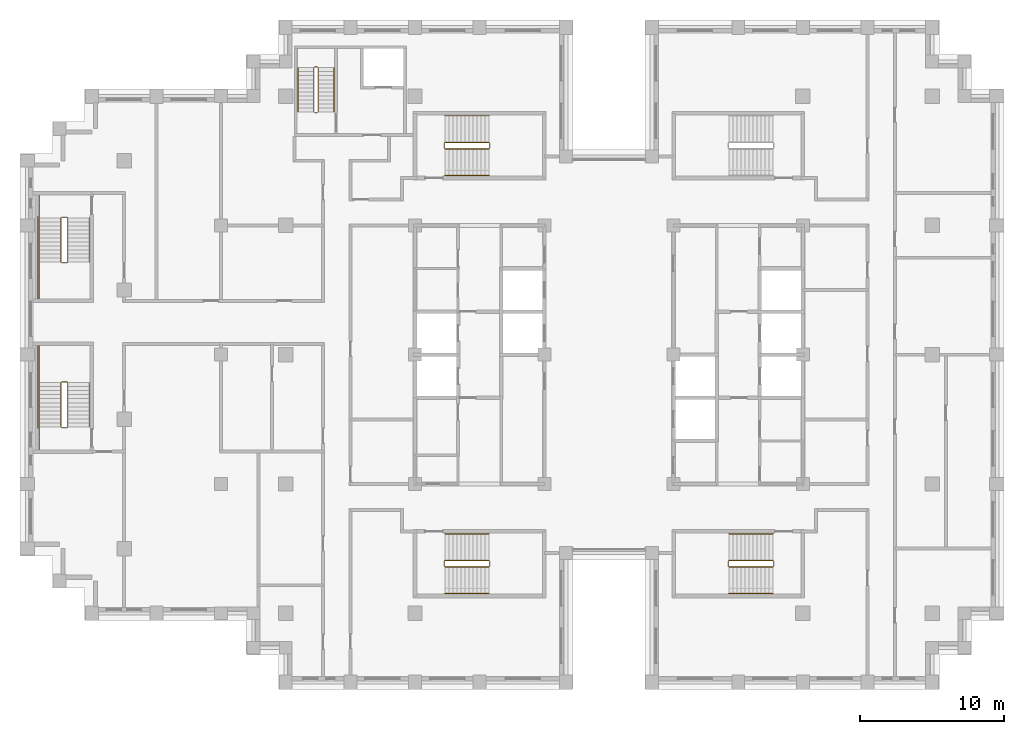
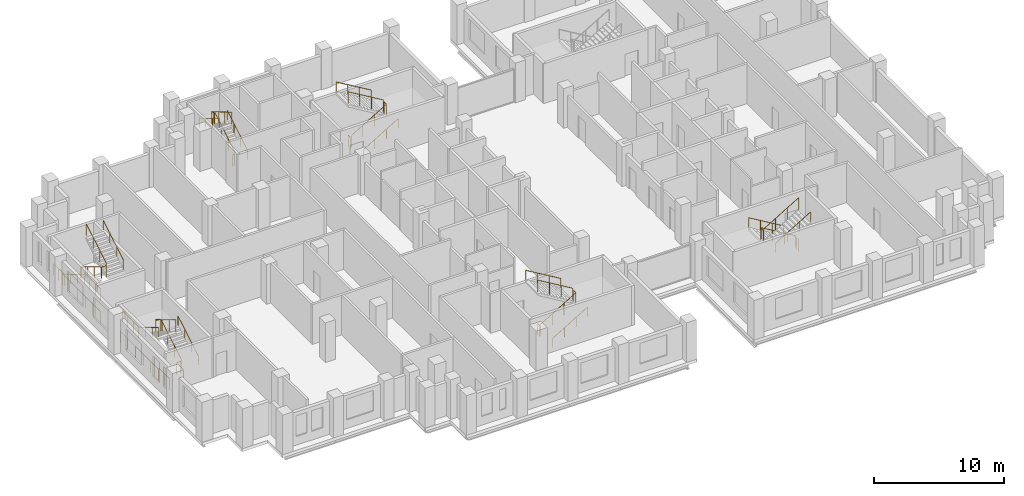
# One storey, part 14 of 15: 6 railings.
"""IFC4 building model written with IfcOpenShell, lengths in metres."""

from ifc_helpers import new_model, si_unit, direction, frame, origin, origin_2d, place, context, subcontext, project, spatial, circle, extrude, material, type_object, element, save


model = new_model("IFC4")

# Units and contexts
model_context = context("Model", 3, precision=1e-05, world=origin(), true_north=direction((0.0, 1.0)))
body_context = subcontext(model_context, "Body", "Model", "MODEL_VIEW")
ifc_project = project(units=[si_unit("LENGTHUNIT", "METRE"), si_unit("AREAUNIT", "SQUARE_METRE"), si_unit("VOLUMEUNIT", "CUBIC_METRE"), si_unit("PLANEANGLEUNIT", "RADIAN"), si_unit("MASSUNIT", "GRAM", prefix="KILO")], contexts=[model_context])

# Site, building, storey
site_placement = place(None, origin())
site = spatial("IfcSite", under=ifc_project, at=site_placement, CompositionType="ELEMENT")
building_placement = place(site_placement, origin())
building = spatial("IfcBuilding", under=site, at=building_placement, Name="Corbelhall Arena Tower", CompositionType="ELEMENT")
storey_placement = place(building_placement, frame((0.0, 0.0, 192.0)))
storey = spatial("IfcBuildingStorey", under=building, at=storey_placement, Name="L39", CompositionType="ELEMENT", Elevation=192.0)

# Railings
ifc_material = material(Name="Steel ASTM A500 Gr C", Category="steel")
railing_type = type_object("IfcRailingType", Name="IN-GD-1100", PredefinedType="GUARDRAIL", material=ifc_material)
railing_1_placement = place(storey_placement, frame((-11.425048828125, 14.324951171875, 0.166748046875)))
element("IfcRailing", 1, at=railing_1_placement, inside=storey, type_object=railing_type, Name="L39 ST1 stair guards and handrails", PredefinedType="GUARDRAIL", context=body_context, shape_type="SweptSolid", body=[
    extrude(circle(Radius=0.02392578125, at=origin_2d()), frame((0.0, 0.0, 1.076171875), z_axis=(0.859308565015, 0.0, 0.511457515432), x_axis=(0.0, 1.0, 0.0)), (0.0, 0.0, 1.0), 3.58447265625),
    extrude(circle(Radius=0.02392578125, at=origin_2d()), frame((3.130126953125, 0.050048828125, 2.9091796875), z_axis=(0.0, 1.0, 0.0), x_axis=(-1.0, 0.0, 0.0)), (0.0, 0.0, 1.0), 0.35009765625),
    extrude(circle(Radius=0.02392578125, at=origin_2d()), frame((3.080078125, 0.449951171875, 3.076171875), z_axis=(-0.859308565015, 0.0, 0.511457515432), x_axis=(0.0, -1.0, 0.0)), (0.0, 0.0, 1.0), 3.58447265625),
    extrude(circle(Radius=0.02392578125, at=origin_2d()), frame((-0.050048828125, 0.050048828125, 0.9091796875), z_axis=(0.0, 1.0, 0.0), x_axis=(-1.0, 0.0, 0.0)), (0.0, 0.0, 1.0), 0.35009765625),
    extrude(circle(Radius=0.02392578125, at=origin_2d()), frame((0.0, -1.849853515625, 0.8759765625), z_axis=(0.859308565015, 0.0, 0.511457515432), x_axis=(0.0, 1.0, 0.0)), (0.0, 0.0, 1.0), 3.58447265625),
    extrude(circle(Radius=0.02392578125, at=origin_2d()), frame((3.080078125, 2.300048828125, 2.8759765625), z_axis=(-0.859308565015, 0.0, 0.511457515432), x_axis=(0.0, -1.0, 0.0)), (0.0, 0.0, 1.0), 3.58447265625),
    extrude(circle(Radius=0.02099609375, at=origin_2d()), origin(), (0.0, 0.0, 1.0), 1.052001953125),
    extrude(circle(Radius=0.02099609375, at=origin_2d()), frame((1.026611328125, 0.0, 0.611083984375)), (0.0, 0.0, 1.0), 1.052001953125),
    extrude(circle(Radius=0.02099609375, at=origin_2d()), frame((2.053466796875, 0.0, 1.22216796875)), (0.0, 0.0, 1.0), 1.052001953125),
    extrude(circle(Radius=0.02099609375, at=origin_2d()), frame((3.080078125, 0.0, 1.833251953125)), (0.0, 0.0, 1.0), 1.052001953125),
    extrude(circle(Radius=0.02099609375, at=origin_2d()), frame((3.130126953125, 0.050048828125, 1.833251953125)), (0.0, 0.0, 1.0), 1.052001953125),
    extrude(circle(Radius=0.02099609375, at=origin_2d()), frame((3.130126953125, 0.400146484375, 1.833251953125)), (0.0, 0.0, 1.0), 1.052001953125),
    extrude(circle(Radius=0.02099609375, at=origin_2d()), frame((3.080078125, 0.449951171875, 2.0)), (0.0, 0.0, 1.0), 1.052001953125),
    extrude(circle(Radius=0.02099609375, at=origin_2d()), frame((2.053466796875, 0.449951171875, 2.611083984375)), (0.0, 0.0, 1.0), 1.052001953125),
    extrude(circle(Radius=0.02099609375, at=origin_2d()), frame((1.026611328125, 0.449951171875, 3.22216796875)), (0.0, 0.0, 1.0), 1.052001953125),
    extrude(circle(Radius=0.02099609375, at=origin_2d()), frame((0.0, 0.449951171875, 3.833251953125)), (0.0, 0.0, 1.0), 1.052001953125),
    extrude(circle(Radius=0.02099609375, at=origin_2d()), frame((-0.050048828125, 0.050048828125, -0.166748046875)), (0.0, 0.0, 1.0), 1.052001953125),
    extrude(circle(Radius=0.02099609375, at=origin_2d()), frame((-0.050048828125, 0.400146484375, -0.166748046875)), (0.0, 0.0, 1.0), 1.052001953125),
    extrude(circle(Radius=0.02099609375, at=origin_2d()), frame((0.0, -1.849853515625, 0.0)), (0.0, 0.0, 1.0), 0.851806640625),
    extrude(circle(Radius=0.02099609375, at=origin_2d()), frame((1.026611328125, -1.849853515625, 0.611083984375)), (0.0, 0.0, 1.0), 0.851806640625),
    extrude(circle(Radius=0.02099609375, at=origin_2d()), frame((2.053466796875, -1.849853515625, 1.22216796875)), (0.0, 0.0, 1.0), 0.851806640625),
    extrude(circle(Radius=0.02099609375, at=origin_2d()), frame((3.080078125, -1.849853515625, 1.833251953125)), (0.0, 0.0, 1.0), 0.851806640625),
    extrude(circle(Radius=0.02099609375, at=origin_2d()), frame((3.080078125, 2.300048828125, 2.0)), (0.0, 0.0, 1.0), 0.851806640625),
    extrude(circle(Radius=0.02099609375, at=origin_2d()), frame((2.053466796875, 2.300048828125, 2.611083984375)), (0.0, 0.0, 1.0), 0.851806640625),
    extrude(circle(Radius=0.02099609375, at=origin_2d()), frame((1.026611328125, 2.300048828125, 3.22216796875)), (0.0, 0.0, 1.0), 0.851806640625),
    extrude(circle(Radius=0.02099609375, at=origin_2d()), frame((0.0, 2.300048828125, 3.833251953125)), (0.0, 0.0, 1.0), 0.851806640625),
])
railing_2_placement = place(storey_placement, frame((-11.425048828125, -14.77490234375, 0.166748046875)))
element("IfcRailing", 2, at=railing_2_placement, inside=storey, type_object=railing_type, Name="L39 ST2 stair guards and handrails", PredefinedType="GUARDRAIL", context=body_context, shape_type="SweptSolid", body=[
    extrude(circle(Radius=0.02392578125, at=origin_2d()), frame((0.0, 0.0, 1.076171875), z_axis=(0.859308565015, 0.0, 0.511457515432), x_axis=(0.0, 1.0, 0.0)), (0.0, 0.0, 1.0), 3.58447265625),
    extrude(circle(Radius=0.02392578125, at=origin_2d()), frame((3.130126953125, 0.0498046875, 2.9091796875), z_axis=(0.0, 1.0, 0.0), x_axis=(-1.0, 0.0, 0.0)), (0.0, 0.0, 1.0), 0.35009765625),
    extrude(circle(Radius=0.02392578125, at=origin_2d()), frame((3.080078125, 0.449951171875, 3.076171875), z_axis=(-0.859308565015, 0.0, 0.511457515432), x_axis=(0.0, -1.0, 0.0)), (0.0, 0.0, 1.0), 3.58447265625),
    extrude(circle(Radius=0.02392578125, at=origin_2d()), frame((-0.050048828125, 0.0498046875, 0.9091796875), z_axis=(0.0, 1.0, 0.0), x_axis=(-1.0, 0.0, 0.0)), (0.0, 0.0, 1.0), 0.35009765625),
    extrude(circle(Radius=0.02392578125, at=origin_2d()), frame((0.0, -1.85009765625, 0.8759765625), z_axis=(0.859308565015, 0.0, 0.511457515432), x_axis=(0.0, 1.0, 0.0)), (0.0, 0.0, 1.0), 3.58447265625),
    extrude(circle(Radius=0.02392578125, at=origin_2d()), frame((3.080078125, 2.2998046875, 2.8759765625), z_axis=(-0.859308565015, 0.0, 0.511457515432), x_axis=(0.0, -1.0, 0.0)), (0.0, 0.0, 1.0), 3.58447265625),
    extrude(circle(Radius=0.02099609375, at=origin_2d()), origin(), (0.0, 0.0, 1.0), 1.052001953125),
    extrude(circle(Radius=0.02099609375, at=origin_2d()), frame((1.026611328125, 0.0, 0.611083984375)), (0.0, 0.0, 1.0), 1.052001953125),
    extrude(circle(Radius=0.02099609375, at=origin_2d()), frame((2.053466796875, 0.0, 1.22216796875)), (0.0, 0.0, 1.0), 1.052001953125),
    extrude(circle(Radius=0.02099609375, at=origin_2d()), frame((3.080078125, 0.0, 1.833251953125)), (0.0, 0.0, 1.0), 1.052001953125),
    extrude(circle(Radius=0.02099609375, at=origin_2d()), frame((3.130126953125, 0.0498046875, 1.833251953125)), (0.0, 0.0, 1.0), 1.052001953125),
    extrude(circle(Radius=0.02099609375, at=origin_2d()), frame((3.130126953125, 0.39990234375, 1.833251953125)), (0.0, 0.0, 1.0), 1.052001953125),
    extrude(circle(Radius=0.02099609375, at=origin_2d()), frame((3.080078125, 0.449951171875, 2.0)), (0.0, 0.0, 1.0), 1.052001953125),
    extrude(circle(Radius=0.02099609375, at=origin_2d()), frame((2.053466796875, 0.449951171875, 2.611083984375)), (0.0, 0.0, 1.0), 1.052001953125),
    extrude(circle(Radius=0.02099609375, at=origin_2d()), frame((1.026611328125, 0.449951171875, 3.22216796875)), (0.0, 0.0, 1.0), 1.052001953125),
    extrude(circle(Radius=0.02099609375, at=origin_2d()), frame((0.0, 0.449951171875, 3.833251953125)), (0.0, 0.0, 1.0), 1.052001953125),
    extrude(circle(Radius=0.02099609375, at=origin_2d()), frame((-0.050048828125, 0.0498046875, -0.166748046875)), (0.0, 0.0, 1.0), 1.052001953125),
    extrude(circle(Radius=0.02099609375, at=origin_2d()), frame((-0.050048828125, 0.39990234375, -0.166748046875)), (0.0, 0.0, 1.0), 1.052001953125),
    extrude(circle(Radius=0.02099609375, at=origin_2d()), frame((0.0, -1.85009765625, 0.0)), (0.0, 0.0, 1.0), 0.851806640625),
    extrude(circle(Radius=0.02099609375, at=origin_2d()), frame((1.026611328125, -1.85009765625, 0.611083984375)), (0.0, 0.0, 1.0), 0.851806640625),
    extrude(circle(Radius=0.02099609375, at=origin_2d()), frame((2.053466796875, -1.85009765625, 1.22216796875)), (0.0, 0.0, 1.0), 0.851806640625),
    extrude(circle(Radius=0.02099609375, at=origin_2d()), frame((3.080078125, -1.85009765625, 1.833251953125)), (0.0, 0.0, 1.0), 0.851806640625),
    extrude(circle(Radius=0.02099609375, at=origin_2d()), frame((3.080078125, 2.2998046875, 2.0)), (0.0, 0.0, 1.0), 0.851806640625),
    extrude(circle(Radius=0.02099609375, at=origin_2d()), frame((2.053466796875, 2.2998046875, 2.611083984375)), (0.0, 0.0, 1.0), 0.851806640625),
    extrude(circle(Radius=0.02099609375, at=origin_2d()), frame((1.026611328125, 2.2998046875, 3.22216796875)), (0.0, 0.0, 1.0), 0.851806640625),
    extrude(circle(Radius=0.02099609375, at=origin_2d()), frame((0.0, 2.2998046875, 3.833251953125)), (0.0, 0.0, 1.0), 0.851806640625),
])
railing_3_placement = place(storey_placement, frame((11.425048828125, -14.324951171875, 0.166748046875)))
element("IfcRailing", 3, at=railing_3_placement, inside=storey, type_object=railing_type, Name="L39 ST4 stair guards and handrails", PredefinedType="GUARDRAIL", context=body_context, shape_type="SweptSolid", body=[
    extrude(circle(Radius=0.02392578125, at=origin_2d()), frame((0.0, 0.0, 1.076171875), z_axis=(-0.859308565015, 0.0, 0.511457515432), x_axis=(0.0, -1.0, 0.0)), (0.0, 0.0, 1.0), 3.58447265625),
    extrude(circle(Radius=0.02392578125, at=origin_2d()), frame((-3.130126953125, -0.050048828125, 2.9091796875), z_axis=(0.0, -1.0, 0.0), x_axis=(1.0, 0.0, 0.0)), (0.0, 0.0, 1.0), 0.35009765625),
    extrude(circle(Radius=0.02392578125, at=origin_2d()), frame((-3.080078125, -0.449951171875, 3.076171875), z_axis=(0.859308565015, 0.0, 0.511457515432), x_axis=(0.0, 1.0, 0.0)), (0.0, 0.0, 1.0), 3.58447265625),
    extrude(circle(Radius=0.02392578125, at=origin_2d()), frame((0.050048828125, -0.050048828125, 0.9091796875), z_axis=(0.0, -1.0, 0.0), x_axis=(1.0, 0.0, 0.0)), (0.0, 0.0, 1.0), 0.35009765625),
    extrude(circle(Radius=0.02392578125, at=origin_2d()), frame((0.0, 1.849853515625, 0.8759765625), z_axis=(-0.859308565015, 0.0, 0.511457515432), x_axis=(0.0, -1.0, 0.0)), (0.0, 0.0, 1.0), 3.58447265625),
    extrude(circle(Radius=0.02392578125, at=origin_2d()), frame((-3.080078125, -2.300048828125, 2.8759765625), z_axis=(0.859308565015, 0.0, 0.511457515432), x_axis=(0.0, 1.0, 0.0)), (0.0, 0.0, 1.0), 3.58447265625),
    extrude(circle(Radius=0.02099609375, at=origin_2d()), origin(), (0.0, 0.0, 1.0), 1.052001953125),
    extrude(circle(Radius=0.02099609375, at=origin_2d()), frame((-1.026611328125, 0.0, 0.611083984375)), (0.0, 0.0, 1.0), 1.052001953125),
    extrude(circle(Radius=0.02099609375, at=origin_2d()), frame((-2.053466796875, 0.0, 1.22216796875)), (0.0, 0.0, 1.0), 1.052001953125),
    extrude(circle(Radius=0.02099609375, at=origin_2d()), frame((-3.080078125, 0.0, 1.833251953125)), (0.0, 0.0, 1.0), 1.052001953125),
    extrude(circle(Radius=0.02099609375, at=origin_2d()), frame((-3.130126953125, -0.050048828125, 1.833251953125)), (0.0, 0.0, 1.0), 1.052001953125),
    extrude(circle(Radius=0.02099609375, at=origin_2d()), frame((-3.130126953125, -0.400146484375, 1.833251953125)), (0.0, 0.0, 1.0), 1.052001953125),
    extrude(circle(Radius=0.02099609375, at=origin_2d()), frame((-3.080078125, -0.449951171875, 2.0)), (0.0, 0.0, 1.0), 1.052001953125),
    extrude(circle(Radius=0.02099609375, at=origin_2d()), frame((-2.053466796875, -0.449951171875, 2.611083984375)), (0.0, 0.0, 1.0), 1.052001953125),
    extrude(circle(Radius=0.02099609375, at=origin_2d()), frame((-1.026611328125, -0.449951171875, 3.22216796875)), (0.0, 0.0, 1.0), 1.052001953125),
    extrude(circle(Radius=0.02099609375, at=origin_2d()), frame((0.0, -0.449951171875, 3.833251953125)), (0.0, 0.0, 1.0), 1.052001953125),
    extrude(circle(Radius=0.02099609375, at=origin_2d()), frame((0.050048828125, -0.050048828125, -0.166748046875)), (0.0, 0.0, 1.0), 1.052001953125),
    extrude(circle(Radius=0.02099609375, at=origin_2d()), frame((0.050048828125, -0.400146484375, -0.166748046875)), (0.0, 0.0, 1.0), 1.052001953125),
    extrude(circle(Radius=0.02099609375, at=origin_2d()), frame((0.0, 1.849853515625, 0.0)), (0.0, 0.0, 1.0), 0.851806640625),
    extrude(circle(Radius=0.02099609375, at=origin_2d()), frame((-1.026611328125, 1.849853515625, 0.611083984375)), (0.0, 0.0, 1.0), 0.851806640625),
    extrude(circle(Radius=0.02099609375, at=origin_2d()), frame((-2.053466796875, 1.849853515625, 1.22216796875)), (0.0, 0.0, 1.0), 0.851806640625),
    extrude(circle(Radius=0.02099609375, at=origin_2d()), frame((-3.080078125, 1.849853515625, 1.833251953125)), (0.0, 0.0, 1.0), 0.851806640625),
    extrude(circle(Radius=0.02099609375, at=origin_2d()), frame((-3.080078125, -2.300048828125, 2.0)), (0.0, 0.0, 1.0), 0.851806640625),
    extrude(circle(Radius=0.02099609375, at=origin_2d()), frame((-2.053466796875, -2.300048828125, 2.611083984375)), (0.0, 0.0, 1.0), 0.851806640625),
    extrude(circle(Radius=0.02099609375, at=origin_2d()), frame((-1.026611328125, -2.300048828125, 3.22216796875)), (0.0, 0.0, 1.0), 0.851806640625),
    extrude(circle(Radius=0.02099609375, at=origin_2d()), frame((0.0, -2.300048828125, 3.833251953125)), (0.0, 0.0, 1.0), 0.851806640625),
])
railing_4_placement = place(storey_placement, frame((-38.14990234375, 9.52490234375, 0.166748046875)))
element("IfcRailing", 4, at=railing_4_placement, inside=storey, type_object=railing_type, Name="L39 SC1 stair guards and handrails", PredefinedType="GUARDRAIL", context=body_context, shape_type="SweptSolid", body=[
    extrude(circle(Radius=0.02392578125, at=origin_2d()), frame((0.0, 0.0, 1.076171875), z_axis=(0.0, -0.859290745958, 0.51148745235), x_axis=(1.0, 0.0, 0.0)), (0.0, 0.0, 1.0), 3.584228515625),
    extrude(circle(Radius=0.02392578125, at=origin_2d()), frame((0.0498046875, -3.1298828125, 2.9091796875), z_axis=(1.0, 0.0, 0.0), x_axis=(0.0, 1.0, 0.0)), (0.0, 0.0, 1.0), 0.375),
    extrude(circle(Radius=0.02392578125, at=origin_2d()), frame((-1.5, -3.079833984375, 2.9091796875), z_axis=(0.0, -1.0, 0.0), x_axis=(1.0, 0.0, 0.0)), (0.0, 0.0, 1.0), 2.570068359375),
    extrude(circle(Radius=0.02392578125, at=origin_2d()), frame((0.474853515625, -3.079833984375, 3.076171875), z_axis=(0.0, 0.859290745958, 0.51148745235), x_axis=(-1.0, 0.0, 0.0)), (0.0, 0.0, 1.0), 3.584228515625),
    extrude(circle(Radius=0.02392578125, at=origin_2d()), frame((0.0498046875, 0.050048828125, 0.9091796875), z_axis=(1.0, 0.0, 0.0), x_axis=(0.0, 1.0, 0.0)), (0.0, 0.0, 1.0), 0.375),
    extrude(circle(Radius=0.02392578125, at=origin_2d()), frame((-1.5, 1.60009765625, 0.9091796875), z_axis=(0.0, -1.0, 0.0), x_axis=(1.0, 0.0, 0.0)), (0.0, 0.0, 1.0), 1.60009765625),
    extrude(circle(Radius=0.02392578125, at=origin_2d()), frame((-1.60009765625, 0.10009765625, 0.9091796875), z_axis=(0.0, -1.0, 0.0), x_axis=(1.0, 0.0, 0.0)), (0.0, 0.0, 1.0), 5.85009765625),
    extrude(circle(Radius=0.02392578125, at=origin_2d()), frame((-1.5, 0.0, 0.8759765625), z_axis=(0.0, -0.859290745958, 0.51148745235), x_axis=(1.0, 0.0, 0.0)), (0.0, 0.0, 1.0), 3.584228515625),
    extrude(circle(Radius=0.02392578125, at=origin_2d()), frame((1.974853515625, -3.079833984375, 2.8759765625), z_axis=(0.0, 0.859290745958, 0.51148745235), x_axis=(-1.0, 0.0, 0.0)), (0.0, 0.0, 1.0), 3.584228515625),
    extrude(circle(Radius=0.02099609375, at=origin_2d()), origin(), (0.0, 0.0, 1.0), 1.052001953125),
    extrude(circle(Radius=0.02099609375, at=origin_2d()), frame((0.0, -1.026611328125, 0.611083984375)), (0.0, 0.0, 1.0), 1.052001953125),
    extrude(circle(Radius=0.02099609375, at=origin_2d()), frame((0.0, -2.05322265625, 1.22216796875)), (0.0, 0.0, 1.0), 1.052001953125),
    extrude(circle(Radius=0.02099609375, at=origin_2d()), frame((0.0, -3.079833984375, 1.833251953125)), (0.0, 0.0, 1.0), 1.052001953125),
    extrude(circle(Radius=0.02099609375, at=origin_2d()), frame((0.0498046875, -3.1298828125, 1.833251953125)), (0.0, 0.0, 1.0), 1.052001953125),
    extrude(circle(Radius=0.02099609375, at=origin_2d()), frame((0.4248046875, -3.1298828125, 1.833251953125)), (0.0, 0.0, 1.0), 1.052001953125),
    extrude(circle(Radius=0.02099609375, at=origin_2d()), frame((-1.5, -3.079833984375, 1.833251953125)), (0.0, 0.0, 1.0), 1.052001953125),
    extrude(circle(Radius=0.02099609375, at=origin_2d()), frame((-1.5, -3.9365234375, 1.833251953125)), (0.0, 0.0, 1.0), 1.052001953125),
    extrude(circle(Radius=0.02099609375, at=origin_2d()), frame((-1.5, -4.793212890625, 1.833251953125)), (0.0, 0.0, 1.0), 1.052001953125),
    extrude(circle(Radius=0.02099609375, at=origin_2d()), frame((-1.5, -5.64990234375, 1.833251953125)), (0.0, 0.0, 1.0), 1.052001953125),
    extrude(circle(Radius=0.02099609375, at=origin_2d()), frame((0.474853515625, -3.079833984375, 2.0)), (0.0, 0.0, 1.0), 1.052001953125),
    extrude(circle(Radius=0.02099609375, at=origin_2d()), frame((0.474853515625, -2.05322265625, 2.611083984375)), (0.0, 0.0, 1.0), 1.052001953125),
    extrude(circle(Radius=0.02099609375, at=origin_2d()), frame((0.474853515625, -1.026611328125, 3.22216796875)), (0.0, 0.0, 1.0), 1.052001953125),
    extrude(circle(Radius=0.02099609375, at=origin_2d()), frame((0.474853515625, 0.0, 3.833251953125)), (0.0, 0.0, 1.0), 1.052001953125),
    extrude(circle(Radius=0.02099609375, at=origin_2d()), frame((0.0498046875, 0.050048828125, -0.166748046875)), (0.0, 0.0, 1.0), 1.052001953125),
    extrude(circle(Radius=0.02099609375, at=origin_2d()), frame((0.4248046875, 0.050048828125, -0.166748046875)), (0.0, 0.0, 1.0), 1.052001953125),
    extrude(circle(Radius=0.02099609375, at=origin_2d()), frame((-1.5, 1.60009765625, -0.166748046875)), (0.0, 0.0, 1.0), 1.052001953125),
    extrude(circle(Radius=0.02099609375, at=origin_2d()), frame((-1.5, 0.800048828125, -0.166748046875)), (0.0, 0.0, 1.0), 1.052001953125),
    extrude(circle(Radius=0.02099609375, at=origin_2d()), frame((-1.5, 0.0, -0.166748046875)), (0.0, 0.0, 1.0), 1.052001953125),
    extrude(circle(Radius=0.02099609375, at=origin_2d()), frame((-1.60009765625, 0.10009765625, -0.166748046875)), (0.0, 0.0, 1.0), 1.052001953125),
    extrude(circle(Radius=0.02099609375, at=origin_2d()), frame((-1.60009765625, -1.06982421875, -0.166748046875)), (0.0, 0.0, 1.0), 1.052001953125),
    extrude(circle(Radius=0.02099609375, at=origin_2d()), frame((-1.60009765625, -2.239990234375, -0.166748046875)), (0.0, 0.0, 1.0), 1.052001953125),
    extrude(circle(Radius=0.02099609375, at=origin_2d()), frame((-1.60009765625, -3.409912109375, -0.166748046875)), (0.0, 0.0, 1.0), 1.052001953125),
    extrude(circle(Radius=0.02099609375, at=origin_2d()), frame((-1.60009765625, -4.580078125, -0.166748046875)), (0.0, 0.0, 1.0), 1.052001953125),
    extrude(circle(Radius=0.02099609375, at=origin_2d()), frame((-1.60009765625, -5.75, -0.166748046875)), (0.0, 0.0, 1.0), 1.052001953125),
    extrude(circle(Radius=0.02099609375, at=origin_2d()), frame((-1.5, 0.0, 0.0)), (0.0, 0.0, 1.0), 0.851806640625),
    extrude(circle(Radius=0.02099609375, at=origin_2d()), frame((-1.5, -1.026611328125, 0.611083984375)), (0.0, 0.0, 1.0), 0.851806640625),
    extrude(circle(Radius=0.02099609375, at=origin_2d()), frame((-1.5, -2.05322265625, 1.22216796875)), (0.0, 0.0, 1.0), 0.851806640625),
    extrude(circle(Radius=0.02099609375, at=origin_2d()), frame((1.974853515625, -3.079833984375, 2.0)), (0.0, 0.0, 1.0), 0.851806640625),
    extrude(circle(Radius=0.02099609375, at=origin_2d()), frame((1.974853515625, -2.05322265625, 2.611083984375)), (0.0, 0.0, 1.0), 0.851806640625),
    extrude(circle(Radius=0.02099609375, at=origin_2d()), frame((1.974853515625, -1.026611328125, 3.22216796875)), (0.0, 0.0, 1.0), 0.851806640625),
    extrude(circle(Radius=0.02099609375, at=origin_2d()), frame((1.974853515625, 0.0, 3.833251953125)), (0.0, 0.0, 1.0), 0.851806640625),
])
railing_5_placement = place(storey_placement, frame((-37.675048828125, -5.02490234375, 0.166748046875)))
element("IfcRailing", 5, at=railing_5_placement, inside=storey, type_object=railing_type, Name="L39 SC2 stair guards and handrails", PredefinedType="GUARDRAIL", context=body_context, shape_type="SweptSolid", body=[
    extrude(circle(Radius=0.02392578125, at=origin_2d()), frame((0.0, 0.0, 1.076171875), z_axis=(0.0, 0.859290745958, 0.51148745235), x_axis=(-1.0, 0.0, 0.0)), (0.0, 0.0, 1.0), 3.584228515625),
    extrude(circle(Radius=0.02392578125, at=origin_2d()), frame((-0.050048828125, 3.1298828125, 2.9091796875), z_axis=(-1.0, 0.0, 0.0), x_axis=(0.0, -1.0, 0.0)), (0.0, 0.0, 1.0), 0.375),
    extrude(circle(Radius=0.02392578125, at=origin_2d()), frame((-1.974853515625, 3.079833984375, 2.9091796875), z_axis=(0.0, 1.0, 0.0), x_axis=(-1.0, 0.0, 0.0)), (0.0, 0.0, 1.0), 2.570068359375),
    extrude(circle(Radius=0.02392578125, at=origin_2d()), frame((-0.474853515625, 3.079833984375, 3.076171875), z_axis=(0.0, -0.859290745958, 0.51148745235), x_axis=(1.0, 0.0, 0.0)), (0.0, 0.0, 1.0), 3.584228515625),
    extrude(circle(Radius=0.02392578125, at=origin_2d()), frame((-0.050048828125, -0.050048828125, 0.9091796875), z_axis=(-1.0, 0.0, 0.0), x_axis=(0.0, -1.0, 0.0)), (0.0, 0.0, 1.0), 0.375),
    extrude(circle(Radius=0.02392578125, at=origin_2d()), frame((-1.974853515625, -1.60009765625, 0.9091796875), z_axis=(0.0, 1.0, 0.0), x_axis=(-1.0, 0.0, 0.0)), (0.0, 0.0, 1.0), 1.60009765625),
    extrude(circle(Radius=0.02392578125, at=origin_2d()), frame((-2.074951171875, -0.10009765625, 0.9091796875), z_axis=(0.0, 1.0, 0.0), x_axis=(-1.0, 0.0, 0.0)), (0.0, 0.0, 1.0), 5.85009765625),
    extrude(circle(Radius=0.02392578125, at=origin_2d()), frame((1.5, 0.0, 0.8759765625), z_axis=(0.0, 0.859290745958, 0.51148745235), x_axis=(-1.0, 0.0, 0.0)), (0.0, 0.0, 1.0), 3.584228515625),
    extrude(circle(Radius=0.02392578125, at=origin_2d()), frame((-1.974853515625, 3.079833984375, 2.8759765625), z_axis=(0.0, -0.859290745958, 0.51148745235), x_axis=(1.0, 0.0, 0.0)), (0.0, 0.0, 1.0), 3.584228515625),
    extrude(circle(Radius=0.02099609375, at=origin_2d()), origin(), (0.0, 0.0, 1.0), 1.052001953125),
    extrude(circle(Radius=0.02099609375, at=origin_2d()), frame((0.0, 1.026611328125, 0.611083984375)), (0.0, 0.0, 1.0), 1.052001953125),
    extrude(circle(Radius=0.02099609375, at=origin_2d()), frame((0.0, 2.05322265625, 1.22216796875)), (0.0, 0.0, 1.0), 1.052001953125),
    extrude(circle(Radius=0.02099609375, at=origin_2d()), frame((0.0, 3.079833984375, 1.833251953125)), (0.0, 0.0, 1.0), 1.052001953125),
    extrude(circle(Radius=0.02099609375, at=origin_2d()), frame((-0.050048828125, 3.1298828125, 1.833251953125)), (0.0, 0.0, 1.0), 1.052001953125),
    extrude(circle(Radius=0.02099609375, at=origin_2d()), frame((-0.425048828125, 3.1298828125, 1.833251953125)), (0.0, 0.0, 1.0), 1.052001953125),
    extrude(circle(Radius=0.02099609375, at=origin_2d()), frame((-1.974853515625, 3.079833984375, 1.833251953125)), (0.0, 0.0, 1.0), 1.052001953125),
    extrude(circle(Radius=0.02099609375, at=origin_2d()), frame((-1.974853515625, 3.9365234375, 1.833251953125)), (0.0, 0.0, 1.0), 1.052001953125),
    extrude(circle(Radius=0.02099609375, at=origin_2d()), frame((-1.974853515625, 4.793212890625, 1.833251953125)), (0.0, 0.0, 1.0), 1.052001953125),
    extrude(circle(Radius=0.02099609375, at=origin_2d()), frame((-1.974853515625, 5.64990234375, 1.833251953125)), (0.0, 0.0, 1.0), 1.052001953125),
    extrude(circle(Radius=0.02099609375, at=origin_2d()), frame((-0.474853515625, 3.079833984375, 2.0)), (0.0, 0.0, 1.0), 1.052001953125),
    extrude(circle(Radius=0.02099609375, at=origin_2d()), frame((-0.474853515625, 2.05322265625, 2.611083984375)), (0.0, 0.0, 1.0), 1.052001953125),
    extrude(circle(Radius=0.02099609375, at=origin_2d()), frame((-0.474853515625, 1.026611328125, 3.22216796875)), (0.0, 0.0, 1.0), 1.052001953125),
    extrude(circle(Radius=0.02099609375, at=origin_2d()), frame((-0.474853515625, 0.0, 3.833251953125)), (0.0, 0.0, 1.0), 1.052001953125),
    extrude(circle(Radius=0.02099609375, at=origin_2d()), frame((-0.050048828125, -0.050048828125, -0.166748046875)), (0.0, 0.0, 1.0), 1.052001953125),
    extrude(circle(Radius=0.02099609375, at=origin_2d()), frame((-0.425048828125, -0.050048828125, -0.166748046875)), (0.0, 0.0, 1.0), 1.052001953125),
    extrude(circle(Radius=0.02099609375, at=origin_2d()), frame((-1.974853515625, -1.60009765625, -0.166748046875)), (0.0, 0.0, 1.0), 1.052001953125),
    extrude(circle(Radius=0.02099609375, at=origin_2d()), frame((-1.974853515625, -0.800048828125, -0.166748046875)), (0.0, 0.0, 1.0), 1.052001953125),
    extrude(circle(Radius=0.02099609375, at=origin_2d()), frame((-1.974853515625, 0.0, -0.166748046875)), (0.0, 0.0, 1.0), 1.052001953125),
    extrude(circle(Radius=0.02099609375, at=origin_2d()), frame((-2.074951171875, -0.10009765625, -0.166748046875)), (0.0, 0.0, 1.0), 1.052001953125),
    extrude(circle(Radius=0.02099609375, at=origin_2d()), frame((-2.074951171875, 1.06982421875, -0.166748046875)), (0.0, 0.0, 1.0), 1.052001953125),
    extrude(circle(Radius=0.02099609375, at=origin_2d()), frame((-2.074951171875, 2.239990234375, -0.166748046875)), (0.0, 0.0, 1.0), 1.052001953125),
    extrude(circle(Radius=0.02099609375, at=origin_2d()), frame((-2.074951171875, 3.409912109375, -0.166748046875)), (0.0, 0.0, 1.0), 1.052001953125),
    extrude(circle(Radius=0.02099609375, at=origin_2d()), frame((-2.074951171875, 4.580078125, -0.166748046875)), (0.0, 0.0, 1.0), 1.052001953125),
    extrude(circle(Radius=0.02099609375, at=origin_2d()), frame((-2.074951171875, 5.75, -0.166748046875)), (0.0, 0.0, 1.0), 1.052001953125),
    extrude(circle(Radius=0.02099609375, at=origin_2d()), frame((1.5, 0.0, 0.0)), (0.0, 0.0, 1.0), 0.851806640625),
    extrude(circle(Radius=0.02099609375, at=origin_2d()), frame((1.5, 1.026611328125, 0.611083984375)), (0.0, 0.0, 1.0), 0.851806640625),
    extrude(circle(Radius=0.02099609375, at=origin_2d()), frame((1.5, 2.05322265625, 1.22216796875)), (0.0, 0.0, 1.0), 0.851806640625),
    extrude(circle(Radius=0.02099609375, at=origin_2d()), frame((1.5, 3.079833984375, 1.833251953125)), (0.0, 0.0, 1.0), 0.851806640625),
    extrude(circle(Radius=0.02099609375, at=origin_2d()), frame((-1.974853515625, 3.079833984375, 2.0)), (0.0, 0.0, 1.0), 0.851806640625),
    extrude(circle(Radius=0.02099609375, at=origin_2d()), frame((-1.974853515625, 2.05322265625, 2.611083984375)), (0.0, 0.0, 1.0), 0.851806640625),
    extrude(circle(Radius=0.02099609375, at=origin_2d()), frame((-1.974853515625, 1.026611328125, 3.22216796875)), (0.0, 0.0, 1.0), 0.851806640625),
    extrude(circle(Radius=0.02099609375, at=origin_2d()), frame((-1.974853515625, 0.0, 3.833251953125)), (0.0, 0.0, 1.0), 0.851806640625),
])
railing_6_placement = place(storey_placement, frame((-20.2451171875, 16.89990234375, 0.166748046875)))
element("IfcRailing", 6, at=railing_6_placement, inside=storey, type_object=railing_type, Name="L39 ST5 stair guards and handrails", PredefinedType="GUARDRAIL", context=body_context, shape_type="SweptSolid", body=[
    extrude(circle(Radius=0.02392578125, at=origin_2d()), frame((0.0, 0.0, 1.076171875), z_axis=(0.0, 0.859308565015, 0.511457515432), x_axis=(-1.0, 0.0, 0.0)), (0.0, 0.0, 1.0), 3.58447265625),
    extrude(circle(Radius=0.02392578125, at=origin_2d()), frame((-0.0498046875, 3.130126953125, 2.9091796875), z_axis=(-1.0, 0.0, 0.0), x_axis=(0.0, -1.0, 0.0)), (0.0, 0.0, 1.0), 0.2001953125),
    extrude(circle(Radius=0.02392578125, at=origin_2d()), frame((-0.2998046875, 3.080078125, 3.076171875), z_axis=(0.0, -0.859308565015, 0.511457515432), x_axis=(1.0, 0.0, 0.0)), (0.0, 0.0, 1.0), 3.58447265625),
    extrude(circle(Radius=0.02392578125, at=origin_2d()), frame((-0.0498046875, -0.0498046875, 0.9091796875), z_axis=(-1.0, 0.0, 0.0), x_axis=(0.0, -1.0, 0.0)), (0.0, 0.0, 1.0), 0.2001953125),
    extrude(circle(Radius=0.02392578125, at=origin_2d()), frame((1.10009765625, 0.0, 0.8759765625), z_axis=(0.0, 0.859308565015, 0.511457515432), x_axis=(-1.0, 0.0, 0.0)), (0.0, 0.0, 1.0), 3.58447265625),
    extrude(circle(Radius=0.02392578125, at=origin_2d()), frame((-1.39990234375, 3.080078125, 2.8759765625), z_axis=(0.0, -0.859308565015, 0.511457515432), x_axis=(1.0, 0.0, 0.0)), (0.0, 0.0, 1.0), 3.58447265625),
    extrude(circle(Radius=0.02099609375, at=origin_2d()), origin(), (0.0, 0.0, 1.0), 1.052001953125),
    extrude(circle(Radius=0.02099609375, at=origin_2d()), frame((0.0, 1.026611328125, 0.611083984375)), (0.0, 0.0, 1.0), 1.052001953125),
    extrude(circle(Radius=0.02099609375, at=origin_2d()), frame((0.0, 2.053466796875, 1.22216796875)), (0.0, 0.0, 1.0), 1.052001953125),
    extrude(circle(Radius=0.02099609375, at=origin_2d()), frame((0.0, 3.080078125, 1.833251953125)), (0.0, 0.0, 1.0), 1.052001953125),
    extrude(circle(Radius=0.02099609375, at=origin_2d()), frame((-0.0498046875, 3.130126953125, 1.833251953125)), (0.0, 0.0, 1.0), 1.052001953125),
    extrude(circle(Radius=0.02099609375, at=origin_2d()), frame((-0.25, 3.130126953125, 1.833251953125)), (0.0, 0.0, 1.0), 1.052001953125),
    extrude(circle(Radius=0.02099609375, at=origin_2d()), frame((-0.2998046875, 3.080078125, 2.0)), (0.0, 0.0, 1.0), 1.052001953125),
    extrude(circle(Radius=0.02099609375, at=origin_2d()), frame((-0.2998046875, 2.053466796875, 2.611083984375)), (0.0, 0.0, 1.0), 1.052001953125),
    extrude(circle(Radius=0.02099609375, at=origin_2d()), frame((-0.2998046875, 1.026611328125, 3.22216796875)), (0.0, 0.0, 1.0), 1.052001953125),
    extrude(circle(Radius=0.02099609375, at=origin_2d()), frame((-0.2998046875, 0.0, 3.833251953125)), (0.0, 0.0, 1.0), 1.052001953125),
    extrude(circle(Radius=0.02099609375, at=origin_2d()), frame((-0.0498046875, -0.0498046875, -0.166748046875)), (0.0, 0.0, 1.0), 1.052001953125),
    extrude(circle(Radius=0.02099609375, at=origin_2d()), frame((-0.25, -0.0498046875, -0.166748046875)), (0.0, 0.0, 1.0), 1.052001953125),
    extrude(circle(Radius=0.02099609375, at=origin_2d()), frame((1.10009765625, 0.0, 0.0)), (0.0, 0.0, 1.0), 0.851806640625),
    extrude(circle(Radius=0.02099609375, at=origin_2d()), frame((1.10009765625, 1.026611328125, 0.611083984375)), (0.0, 0.0, 1.0), 0.851806640625),
    extrude(circle(Radius=0.02099609375, at=origin_2d()), frame((1.10009765625, 2.053466796875, 1.22216796875)), (0.0, 0.0, 1.0), 0.851806640625),
    extrude(circle(Radius=0.02099609375, at=origin_2d()), frame((1.10009765625, 3.080078125, 1.833251953125)), (0.0, 0.0, 1.0), 0.851806640625),
    extrude(circle(Radius=0.02099609375, at=origin_2d()), frame((-1.39990234375, 3.080078125, 2.0)), (0.0, 0.0, 1.0), 0.851806640625),
    extrude(circle(Radius=0.02099609375, at=origin_2d()), frame((-1.39990234375, 2.053466796875, 2.611083984375)), (0.0, 0.0, 1.0), 0.851806640625),
    extrude(circle(Radius=0.02099609375, at=origin_2d()), frame((-1.39990234375, 1.026611328125, 3.22216796875)), (0.0, 0.0, 1.0), 0.851806640625),
    extrude(circle(Radius=0.02099609375, at=origin_2d()), frame((-1.39990234375, 0.0, 3.833251953125)), (0.0, 0.0, 1.0), 0.851806640625),
])

save(model, "model.ifc")
